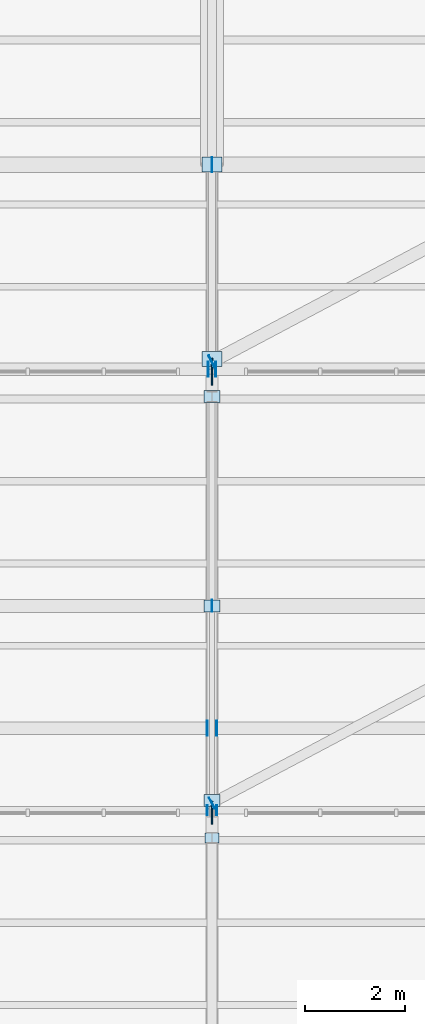
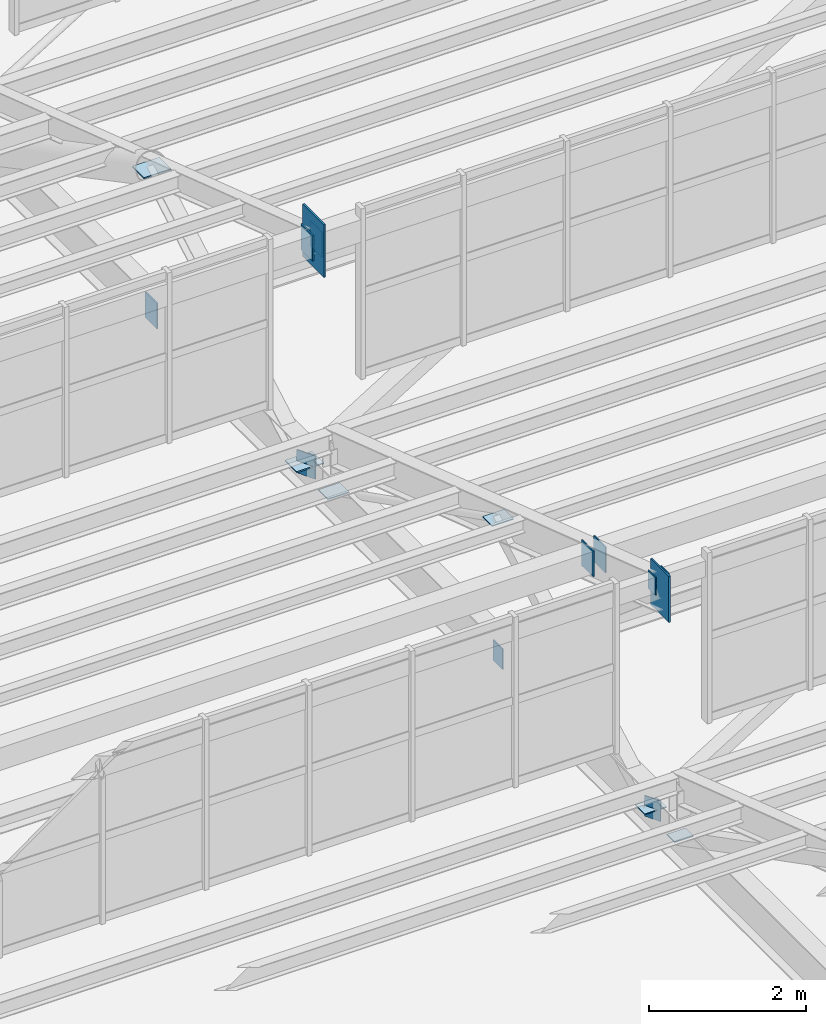
# One storey, part 216 of 285: 18 plates.
"""IFC4 building model written with IfcOpenShell, lengths in metres."""

from ifc_helpers import new_model, si_unit, direction, frame, origin, origin_2d, place, context, subcontext, project, spatial, rectangle, extrude, material, layer, layer_set, type_object, element, save


model = new_model("IFC4")

# Units and contexts
model_context = context("Model", 3, precision=1e-05, world=origin(), true_north=direction((0.0, 1.0)))
body_context = subcontext(model_context, "Body", "Model", "MODEL_VIEW")
ifc_project = project(units=[si_unit("LENGTHUNIT", "METRE"), si_unit("AREAUNIT", "SQUARE_METRE"), si_unit("VOLUMEUNIT", "CUBIC_METRE"), si_unit("PLANEANGLEUNIT", "RADIAN"), si_unit("MASSUNIT", "GRAM", prefix="KILO")], contexts=[model_context])

# Site, building, storey
site_placement = place(None, origin())
site = spatial("IfcSite", under=ifc_project, at=site_placement, CompositionType="ELEMENT")
building_placement = place(site_placement, origin())
building = spatial("IfcBuilding", under=site, at=building_placement, Name="Solanera Park Tramway Depot", CompositionType="ELEMENT")
storey_placement = place(building_placement, origin())
storey = spatial("IfcBuildingStorey", under=building, at=storey_placement, Name="L00", CompositionType="ELEMENT", Elevation=0.0)

# Plates
ifc_material_1 = material(Name="Steel AS/NZS 3679.1 Grade 350", Category="steel")
ifc_layer_1 = layer(ifc_material_1, 0.013916015625)
ifc_layer_set_1 = layer_set([ifc_layer_1], Name="Steel AS/NZS 3679.1 Grade 350")
plate_type_1 = type_object("IfcPlateType", Name="Hollow End Cap and Base Plate 280x200x14", PredefinedType="USERDEFINED", material=ifc_layer_set_1)
plate_1_placement = place(storey_placement, frame((120.0, 64.10009765625, 6.4931640625), z_axis=(0.0, 0.0, 1.0), x_axis=(1.0, 0.0, 0.0)))
element("IfcPlate", 1, at=plate_1_placement, inside=storey, type_object=plate_type_1, Name="Sawtooth Truss Node Cap Plate #0109", ObjectType="BASE PLATE", PredefinedType="USERDEFINED", context=body_context, shape_type="SweptSolid", body=[
    extrude(rectangle(XDim=0.280029296875, YDim=0.199951171875, at=origin_2d()), origin(), (0.0, 0.0, 1.0), 0.013916015625),
])
for number, where, z_axis, x_axis, name in (
    (2, (119.90625, 64.64990234375, 10.0), (0.0, 0.0, 1.0), (1.0, 0.0, 0.0), "Hollow Section Welded End Cap Plate #0235"),
    (3, (120.09375, 64.64990234375, 10.0), (0.0, 0.0, 1.0), (1.0, 0.0, 0.0), "Hollow Section Welded End Cap Plate #0236"),
):
    element("IfcPlate", number, at=place(storey_placement, frame(where, z_axis=z_axis, x_axis=x_axis)), inside=storey, type_object=plate_type_1, Name=name, ObjectType="BASE PLATE", PredefinedType="USERDEFINED", context=body_context, shape_type="SweptSolid", body=[
        extrude(rectangle(XDim=0.013916015625, YDim=0.199951171875, at=origin_2d()), origin(), (0.0, 0.0, 1.0), 0.280029296875),
    ])
ifc_material_2 = material(Name="Steel AS/NZS 3679.1 Grade 350", Category="steel")
ifc_layer_2 = layer(ifc_material_2, 0.01611328125)
ifc_layer_set_2 = layer_set([ifc_layer_2], Name="Steel AS/NZS 3679.1 Grade 350")
plate_type_2 = type_object("IfcPlateType", Name="Hollow End Cap and Base Plate 320x240x16", PredefinedType="USERDEFINED", material=ifc_layer_set_2)
plate_2_placement = place(storey_placement, frame((120.0, 68.75, 6.33984375), z_axis=(0.0, 0.0, 1.0), x_axis=(1.0, 0.0, 0.0)))
element("IfcPlate", 4, at=plate_2_placement, inside=storey, type_object=plate_type_2, Name="Sawtooth Truss Hollow End Cap #0213", ObjectType="BASE PLATE", PredefinedType="USERDEFINED", context=body_context, shape_type="SweptSolid", body=[
    extrude(rectangle(XDim=0.01611328125, YDim=0.239990234375, at=origin_2d()), origin(), (0.0, 0.0, 1.0), 0.320068359375),
])
for number, where, z_axis, x_axis, name in (
    (5, (120.0, 72.949951171875, 6.491943359375), (0.0, 0.0, 1.0), (1.0, 0.0, 0.0), "Sawtooth Truss Node Cap Plate #0214"),
    (6, (120.0, 68.75, 8.62158203125), (0.0, 0.0, 1.0), (1.0, 0.0, 0.0), "Sawtooth Truss Node Cap Plate #0215"),
    (7, (120.0, 64.85009765625, 6.491943359375), (0.0, 0.0, 1.0), (1.0, 0.0, 0.0), "Sawtooth Truss Node Cap Plate #0216"),
):
    element("IfcPlate", number, at=place(storey_placement, frame(where, z_axis=z_axis, x_axis=x_axis)), inside=storey, type_object=plate_type_2, Name=name, ObjectType="BASE PLATE", PredefinedType="USERDEFINED", context=body_context, shape_type="SweptSolid", body=[
        extrude(rectangle(XDim=0.320068359375, YDim=0.239990234375, at=origin_2d()), origin(), (0.0, 0.0, 1.0), 0.01611328125),
    ])
plate_3_placement = place(storey_placement, frame((119.99853515625, 64.798095703125, 6.33984375), z_axis=(0.0, 0.0, 1.0), x_axis=(0.883520501477, 0.468392488698, 0.0)))
element("IfcPlate", 8, at=plate_3_placement, inside=storey, type_object=plate_type_2, Name="Hollow Section Welded End Cap Plate #0264", ObjectType="BASE PLATE", PredefinedType="USERDEFINED", context=body_context, shape_type="SweptSolid", body=[
    extrude(rectangle(XDim=0.01611328125, YDim=0.239990234375, at=origin_2d()), origin(), (0.0, 0.0, 1.0), 0.320068359375),
])
ifc_material_3 = material(Name="Steel AS/NZS 3679.1 Grade 350", Category="steel")
ifc_layer_3 = layer(ifc_material_3, 0.01806640625)
ifc_layer_set_3 = layer_set([ifc_layer_3], Name="Steel AS/NZS 3679.1 Grade 350")
plate_type_3 = type_object("IfcPlateType", Name="Hollow End Cap and Base Plate 360x280x18", PredefinedType="USERDEFINED", material=ifc_layer_set_3)
plate_4_placement = place(storey_placement, frame((119.99755859375, 73.647705078125, 6.31982421875), z_axis=(0.0, 0.0, 1.0), x_axis=(0.883520501477, 0.468392488698, 0.0)))
element("IfcPlate", 9, at=plate_4_placement, inside=storey, type_object=plate_type_3, Name="Hollow Section Welded End Cap Plate #0351", ObjectType="BASE PLATE", PredefinedType="USERDEFINED", context=body_context, shape_type="SweptSolid", body=[
    extrude(rectangle(XDim=0.01806640625, YDim=0.280029296875, at=origin_2d()), origin(), (0.0, 0.0, 1.0), 0.360107421875),
])
ifc_material_4 = material(Name="Steel AS/NZS 3679.1 Grade 350", Category="steel")
ifc_layer_4 = layer(ifc_material_4, 0.02001953125)
ifc_layer_set_4 = layer_set([ifc_layer_4], Name="Steel AS/NZS 3679.1 Grade 350")
plate_type_4 = type_object("IfcPlateType", Name="Hollow End Cap and Base Plate 400x300x20", PredefinedType="USERDEFINED", material=ifc_layer_set_4)
for number, where, z_axis, x_axis, name in (
    (10, (119.9091796875, 66.300048828125, 9.3212890625), (0.0, 0.0, 1.0), (1.0, 0.0, 0.0), "Hollow Section Welded End Cap Plate #0251"),
    (11, (120.0908203125, 66.300048828125, 9.3212890625), (0.0, 0.0, 1.0), (1.0, 0.0, 0.0), "Hollow Section Welded End Cap Plate #0252"),
    (12, (120.0, 77.60009765625, 6.300048828125), (0.0, 0.0, 1.0), (1.0, 0.0, 0.0), "Sawtooth Truss Hollow End Cap #0307"),
):
    element("IfcPlate", number, at=place(storey_placement, frame(where, z_axis=z_axis, x_axis=x_axis)), inside=storey, type_object=plate_type_4, Name=name, ObjectType="BASE PLATE", PredefinedType="USERDEFINED", context=body_context, shape_type="SweptSolid", body=[
        extrude(rectangle(XDim=0.02001953125, YDim=0.300048828125, at=origin_2d()), origin(), (0.0, 0.0, 1.0), 0.39990234375),
    ])
for number, where, z_axis, x_axis, name in (
    (13, (120.0, 77.60009765625, 8.70849609375), (0.0, 0.0, 1.0), (1.0, 0.0, 0.0), "Sawtooth Truss Node Cap Plate #0309"),
    (14, (120.0, 73.699951171875, 6.489990234375), (0.0, 0.0, 1.0), (1.0, 0.0, 0.0), "Sawtooth Truss Node Cap Plate #0310"),
):
    element("IfcPlate", number, at=place(storey_placement, frame(where, z_axis=z_axis, x_axis=x_axis)), inside=storey, type_object=plate_type_4, Name=name, ObjectType="BASE PLATE", PredefinedType="USERDEFINED", context=body_context, shape_type="SweptSolid", body=[
        extrude(rectangle(XDim=0.39990234375, YDim=0.300048828125, at=origin_2d()), origin(), (0.0, 0.0, 1.0), 0.02001953125),
    ])
for number, where, z_axis, x_axis, name in (
    (15, (119.92822265625, 73.5, 9.873291015625), (0.0, 0.0, 1.0), (1.0, 0.0, 0.0), "Hollow Section Welded End Cap Plate #0336"),
    (16, (120.07177734375, 73.5, 9.873291015625), (0.0, 0.0, 1.0), (1.0, 0.0, 0.0), "Hollow Section Welded End Cap Plate #0337"),
):
    element("IfcPlate", number, at=place(storey_placement, frame(where, z_axis=z_axis, x_axis=x_axis)), inside=storey, type_object=plate_type_4, Name=name, ObjectType="BASE PLATE", PredefinedType="USERDEFINED", context=body_context, shape_type="SweptSolid", body=[
        extrude(rectangle(XDim=0.02001953125, YDim=0.300048828125, at=origin_2d()), origin(), (0.0, 0.0, 1.0), 0.39990234375),
    ])
ifc_material_5 = material(Name="Steel AS/NZS 3679.1 Grade 350", Category="steel")
ifc_layer_5 = layer(ifc_material_5, 0.02490234375)
ifc_layer_set_5 = layer_set([ifc_layer_5], Name="Steel AS/NZS 3679.1 Grade 350")
plate_type_5 = type_object("IfcPlateType", Name="Truss Node Gusset Stiffener 720x460x25", PredefinedType="SHEET", material=ifc_layer_set_5)
plate_5_placement = place(storey_placement, frame((120.0, 64.60009765625, 9.658203125), z_axis=(0.0, 0.0, 1.0), x_axis=(1.0, 0.0, 0.0)))
element("IfcPlate", 17, at=plate_5_placement, inside=storey, type_object=plate_type_5, Name="Sawtooth Truss Apex Gusset Plate #0212", PredefinedType="SHEET", context=body_context, shape_type="SweptSolid", body=[
    extrude(rectangle(XDim=0.02490234375, YDim=0.4599609375, at=origin_2d()), origin(), (0.0, 0.0, 1.0), 0.719970703125),
])
ifc_material_6 = material(Name="Steel AS/NZS 3679.1 Grade 350", Category="steel")
ifc_layer_6 = layer(ifc_material_6, 0.028076171875)
ifc_layer_set_6 = layer_set([ifc_layer_6], Name="Steel AS/NZS 3679.1 Grade 350")
plate_type_6 = type_object("IfcPlateType", Name="Truss Node Gusset Stiffener 820x540x28", PredefinedType="SHEET", material=ifc_layer_set_6)
plate_6_placement = place(storey_placement, frame((120.0, 73.449951171875, 9.69677734375), z_axis=(0.0, 0.0, 1.0), x_axis=(1.0, 0.0, 0.0)))
element("IfcPlate", 18, at=plate_6_placement, inside=storey, type_object=plate_type_6, Name="Sawtooth Truss Apex Gusset Plate #0306", PredefinedType="SHEET", context=body_context, shape_type="SweptSolid", body=[
    extrude(rectangle(XDim=0.028076171875, YDim=0.5400390625, at=origin_2d()), origin(), (0.0, 0.0, 1.0), 0.820068359375),
])

save(model, "model.ifc")
